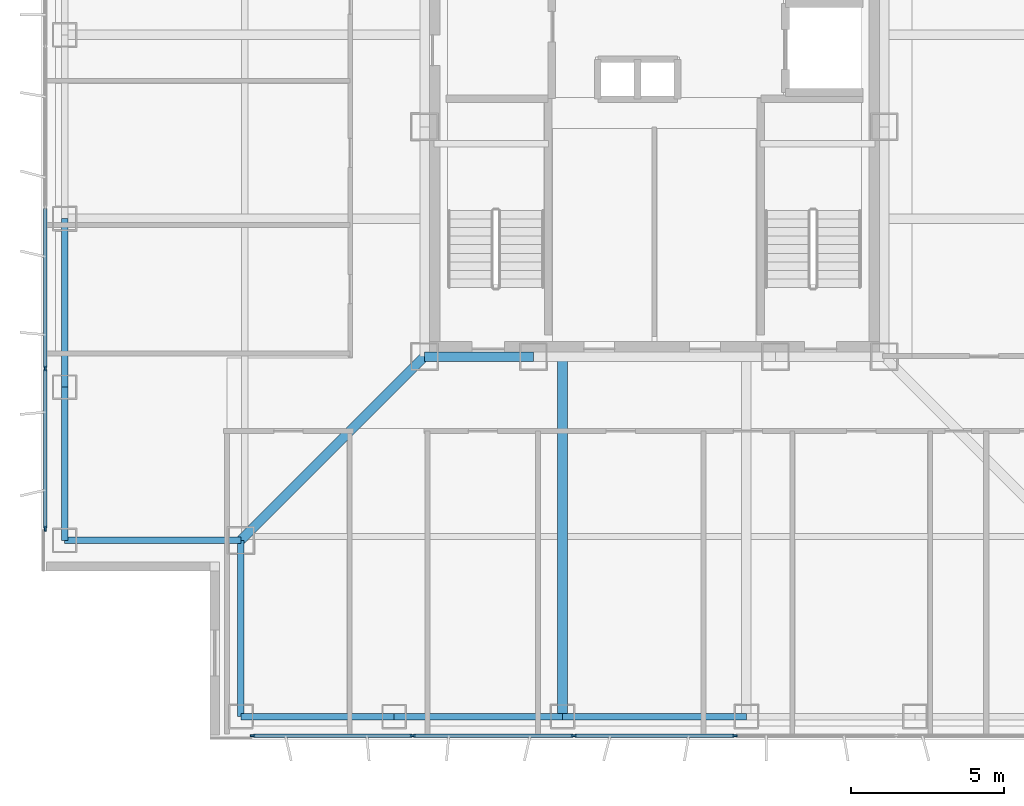
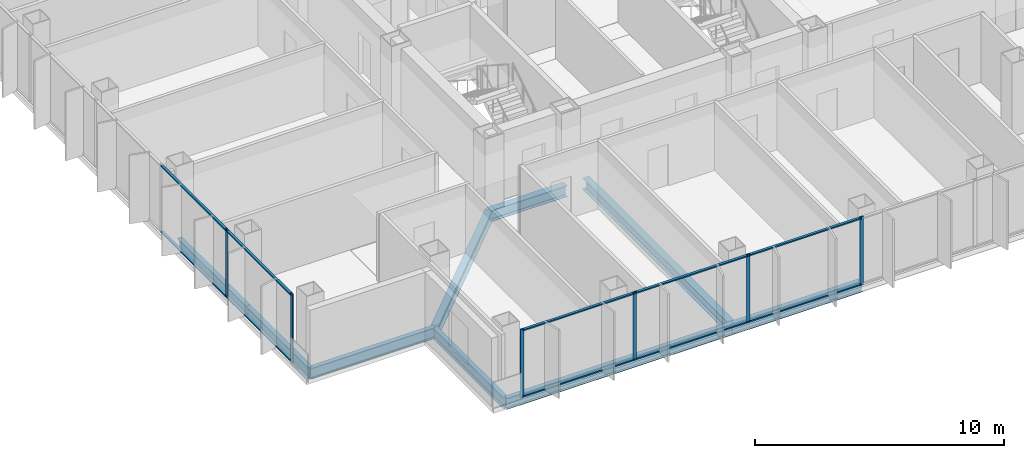
# One storey, part 2 of 18: 16 members, 10 beams, 2 elements without a shape of their own.
"""IFC4 building model written with IfcOpenShell, lengths in metres."""

from ifc_helpers import new_model, si_unit, direction, frame, origin, origin_2d, place, context, subcontext, project, spatial, rectangle, i_section, extrude, material, layer, layer_set, material_profile, profile_set, type_object, element, aggregate, save


model = new_model("IFC4")

# Units and contexts
model_context = context("Model", 3, precision=1e-05, world=origin(), true_north=direction((0.0, 1.0)))
body_context = subcontext(model_context, "Body", "Model", "MODEL_VIEW")
ifc_project = project(units=[si_unit("LENGTHUNIT", "METRE"), si_unit("AREAUNIT", "SQUARE_METRE"), si_unit("VOLUMEUNIT", "CUBIC_METRE"), si_unit("PLANEANGLEUNIT", "RADIAN"), si_unit("MASSUNIT", "GRAM", prefix="KILO")], contexts=[model_context])

# Site, building, storey
site_placement = place(None, origin())
site = spatial("IfcSite", under=ifc_project, at=site_placement, CompositionType="ELEMENT")
building_placement = place(site_placement, origin())
building = spatial("IfcBuilding", under=site, at=building_placement, Name="Trevonay Congress Spire", CompositionType="ELEMENT")
storey_placement = place(building_placement, frame((0.0, 0.0, 173.39990234375)))
storey = spatial("IfcBuildingStorey", under=building, at=storey_placement, Name="L44", CompositionType="ELEMENT", Elevation=173.39990234375)

# Beams
ifc_material_1 = material(Name="Steel ASTM A572 Grade 50", Category="steel")
ifc_material_profile_1 = material_profile(ifc_material_1, i_section(OverallWidth=0.31201171875, OverallDepth=0.54296875, WebThickness=0.0126953125, FlangeThickness=0.020263671875, FilletRadius=0.014892578125, at=origin_2d()), Name="W530x150")
ifc_profile_set_1 = profile_set([ifc_material_profile_1], Name="Steel ASTM A572 Grade 50")
beam_type_1 = type_object("IfcBeamType", Name="BM-GIRD-W530X150", PredefinedType="BEAM", material=ifc_profile_set_1)
beam_1_placement = place(storey_placement, frame((-7.5, -7.5, -0.511474609375), z_axis=(1.0, 0.0, 0.0), x_axis=(0.0, 1.0, 0.0)))
element("IfcBeam", 1, at=beam_1_placement, inside=storey, type_object=beam_type_1, Name="L44 structural beam BM-L44-CR-S1", PredefinedType="BEAM", context=body_context, shape_type="SweptSolid", body=[
    extrude(i_section(OverallWidth=0.31201171875, OverallDepth=0.54296875, WebThickness=0.0126953125, FlangeThickness=0.020263671875, FilletRadius=0.014892578125, at=origin_2d()), origin(), (0.0, 0.0, 1.0), 3.550048828125),
])
beam_2_placement = place(storey_placement, frame((-7.5, -7.5, -0.511474609375), z_axis=(-0.707106781187, -0.707106781187, 0.0), x_axis=(0.707106781187, -0.707106781187, 0.0)))
element("IfcBeam", 2, at=beam_2_placement, inside=storey, type_object=beam_type_1, Name="L44 structural beam BM-L44-CDSW", PredefinedType="BEAM", context=body_context, shape_type="SweptSolid", body=[
    extrude(i_section(OverallWidth=0.31201171875, OverallDepth=0.54296875, WebThickness=0.0126953125, FlangeThickness=0.020263671875, FilletRadius=0.014892578125, at=origin_2d()), origin(), (0.0, 0.0, 1.0), 8.4853515625),
])
beam_3_placement = place(storey_placement, frame((-3.0, -7.5, -0.511474609375), z_axis=(0.0, -1.0, 0.0), x_axis=(1.0, 0.0, 0.0)))
element("IfcBeam", 3, at=beam_3_placement, inside=storey, type_object=beam_type_1, Name="L44 structural beam BM-L44-GS-M", PredefinedType="BEAM", context=body_context, shape_type="SweptSolid", body=[
    extrude(i_section(OverallWidth=0.31201171875, OverallDepth=0.54296875, WebThickness=0.0126953125, FlangeThickness=0.020263671875, FilletRadius=0.014892578125, at=origin_2d()), origin(), (0.0, 0.0, 1.0), 11.75),
])
ifc_material_profile_2 = material_profile(ifc_material_1, i_section(OverallWidth=0.2119140625, OverallDepth=0.5439453125, WebThickness=0.01318359375, FlangeThickness=0.021240234375, FilletRadius=0.014892578125, at=origin_2d()), Name="W530x123")
ifc_profile_set_2 = profile_set([ifc_material_profile_2], Name="Steel ASTM A572 Grade 50")
beam_type_2 = type_object("IfcBeamType", Name="BM-RING-W530X123", PredefinedType="BEAM", material=ifc_profile_set_2)
for number, where, z_axis, x_axis, name in (
    (4, (-13.5, -19.25, -0.511962890625), (1.0, 0.0, 0.0), (0.0, 1.0, 0.0), "L44 structural beam BM-L44-PS1"),
    (5, (-19.25, -13.5, -0.511962890625), (0.0, 1.0, 0.0), (-1.0, 0.0, 0.0), "L44 structural beam BM-L44-PW1"),
):
    element("IfcBeam", number, at=place(storey_placement, frame(where, z_axis=z_axis, x_axis=x_axis)), inside=storey, type_object=beam_type_2, Name=name, PredefinedType="BEAM", context=body_context, shape_type="SweptSolid", body=[
        extrude(i_section(OverallWidth=0.2119140625, OverallDepth=0.5439453125, WebThickness=0.01318359375, FlangeThickness=0.021240234375, FilletRadius=0.014892578125, at=origin_2d()), origin(), (0.0, 0.0, 1.0), 5.0),
    ])
for number, where, z_axis, x_axis, name in (
    (6, (-8.5, -19.25, -0.511962890625), (1.0, 0.0, 0.0), (0.0, 1.0, 0.0), "L44 structural beam BM-L44-PS2"),
    (7, (-19.25, -8.5, -0.511962890625), (0.0, 1.0, 0.0), (-1.0, 0.0, 0.0), "L44 structural beam BM-L44-PW2"),
):
    element("IfcBeam", number, at=place(storey_placement, frame(where, z_axis=z_axis, x_axis=x_axis)), inside=storey, type_object=beam_type_2, Name=name, PredefinedType="BEAM", context=body_context, shape_type="SweptSolid", body=[
        extrude(i_section(OverallWidth=0.2119140625, OverallDepth=0.5439453125, WebThickness=0.01318359375, FlangeThickness=0.021240234375, FilletRadius=0.014892578125, at=origin_2d()), origin(), (0.0, 0.0, 1.0), 5.5),
    ])
beam_4_placement = place(storey_placement, frame((-3.0, -19.25, -0.511962890625), z_axis=(1.0, 0.0, 0.0), x_axis=(0.0, 1.0, 0.0)))
element("IfcBeam", 8, at=beam_4_placement, inside=storey, type_object=beam_type_2, Name="L44 structural beam BM-L44-PS3", PredefinedType="BEAM", context=body_context, shape_type="SweptSolid", body=[
    extrude(i_section(OverallWidth=0.2119140625, OverallDepth=0.5439453125, WebThickness=0.01318359375, FlangeThickness=0.021240234375, FilletRadius=0.014892578125, at=origin_2d()), origin(), (0.0, 0.0, 1.0), 6.0),
])
for number, where, z_axis, x_axis, name in (
    (9, (-13.5, -19.25, -0.511962890625), (0.0, 1.0, 0.0), (-1.0, 0.0, 0.0), "L44 structural beam BM-L44-N1SW"),
    (10, (-19.25, -13.5, -0.511962890625), (1.0, 0.0, 0.0), (0.0, 1.0, 0.0), "L44 structural beam BM-L44-N2SW"),
):
    element("IfcBeam", number, at=place(storey_placement, frame(where, z_axis=z_axis, x_axis=x_axis)), inside=storey, type_object=beam_type_2, Name=name, PredefinedType="BEAM", context=body_context, shape_type="SweptSolid", body=[
        extrude(i_section(OverallWidth=0.2119140625, OverallDepth=0.5439453125, WebThickness=0.01318359375, FlangeThickness=0.021240234375, FilletRadius=0.014892578125, at=origin_2d()), origin(), (0.0, 0.0, 1.0), 5.75),
    ])

# Curtain wall, members
ifc_material_2 = material(Name="Pale Anodised Aluminium EN AW-6063-T6", Category="aluminium")
ifc_layer = layer(ifc_material_2, 0.169921875, Name="Pale Anodised Aluminium EN AW-6063-T6")
ifc_layer_set = layer_set([ifc_layer], Name="Pale Anodised Aluminium EN AW-6063-T6")
curtain_wall_type = type_object("IfcCurtainWallType", Name="CW-SYS04-CORP-PALE-METAL", PredefinedType="NOTDEFINED", material=ifc_layer_set)
curtain_wall_1_placement = place(storey_placement, origin())
curtain_wall_1 = element("IfcCurtainWall", 11, at=curtain_wall_1_placement, inside=storey, type_object=curtain_wall_type, Name="L44 S unitised curtain wall", PredefinedType="NOTDEFINED")
ifc_material_profile_3 = material_profile(ifc_material_2, rectangle(XDim=0.06005859375, YDim=0.159912109375, at=origin_2d()), Name="CW-MULLION-160-ALUMINIUM")
ifc_profile_set_3 = profile_set([ifc_material_profile_3], Name="Pale Anodised Aluminium EN AW-6063-T6")
member_type_1 = type_object("IfcMemberType", Name="CW-MULLION-160-ALUMINIUM", PredefinedType="MULLION", material=ifc_profile_set_3)
member_1_placement = place(storey_placement, frame((-13.1201171875, -19.8798828125, 0.0), z_axis=(0.0, 0.0, 1.0), x_axis=(0.0, 1.0, 0.0)))
member_1 = element("IfcMember", 12, at=member_1_placement, type_object=member_type_1, Name="CW04 mullion 1", PredefinedType="MULLION", context=body_context, shape_type="SweptSolid", body=[
    extrude(rectangle(XDim=0.06005859375, YDim=0.159912109375, at=origin_2d()), origin(), (0.0, 0.0, 1.0), 3.360107421875),
])
member_2_placement = place(storey_placement, frame((-7.889892578125, -19.8798828125, 0.0), z_axis=(0.0, 0.0, 1.0), x_axis=(0.0, 1.0, 0.0)))
member_2 = element("IfcMember", 13, at=member_2_placement, type_object=member_type_1, Name="CW04 mullion 2", PredefinedType="MULLION", context=body_context, shape_type="SweptSolid", body=[
    extrude(rectangle(XDim=0.06005859375, YDim=0.159912109375, at=origin_2d()), origin(), (0.0, 0.0, 1.0), 3.360107421875),
])
member_3_placement = place(storey_placement, frame((-2.6298828125, -19.8798828125, 0.0), z_axis=(0.0, 0.0, 1.0), x_axis=(0.0, 1.0, 0.0)))
member_3 = element("IfcMember", 14, at=member_3_placement, type_object=member_type_1, Name="CW04 mullion 3", PredefinedType="MULLION", context=body_context, shape_type="SweptSolid", body=[
    extrude(rectangle(XDim=0.06005859375, YDim=0.159912109375, at=origin_2d()), origin(), (0.0, 0.0, 1.0), 3.360107421875),
])
member_4_placement = place(storey_placement, frame((2.6298828125, -19.8798828125, 0.0), z_axis=(0.0, 0.0, 1.0), x_axis=(0.0, 1.0, 0.0)))
member_4 = element("IfcMember", 15, at=member_4_placement, type_object=member_type_1, Name="CW04 mullion 4", PredefinedType="MULLION", context=body_context, shape_type="SweptSolid", body=[
    extrude(rectangle(XDim=0.06005859375, YDim=0.159912109375, at=origin_2d()), origin(), (0.0, 0.0, 1.0), 3.360107421875),
])

curtain_wall_2_placement = place(storey_placement, origin())
curtain_wall_2 = element("IfcCurtainWall", 16, at=curtain_wall_2_placement, inside=storey, type_object=curtain_wall_type, Name="L44 W unitised curtain wall", PredefinedType="NOTDEFINED")
member_5_placement = place(storey_placement, frame((-19.8798828125, -13.1201171875, 0.0), z_axis=(0.0, 0.0, 1.0), x_axis=(-1.0, 0.0, 0.0)))
member_5 = element("IfcMember", 17, at=member_5_placement, type_object=member_type_1, Name="CW04 mullion 1", PredefinedType="MULLION", context=body_context, shape_type="SweptSolid", body=[
    extrude(rectangle(XDim=0.06005859375, YDim=0.159912109375, at=origin_2d()), origin(), (0.0, 0.0, 1.0), 3.360107421875),
])
member_6_placement = place(storey_placement, frame((-19.8798828125, -7.889892578125, 0.0), z_axis=(0.0, 0.0, 1.0), x_axis=(-1.0, 0.0, 0.0)))
member_6 = element("IfcMember", 18, at=member_6_placement, type_object=member_type_1, Name="CW04 mullion 2", PredefinedType="MULLION", context=body_context, shape_type="SweptSolid", body=[
    extrude(rectangle(XDim=0.06005859375, YDim=0.159912109375, at=origin_2d()), origin(), (0.0, 0.0, 1.0), 3.360107421875),
])

# Member
ifc_material_profile_4 = material_profile(ifc_material_2, rectangle(XDim=0.1201171875, YDim=0.06005859375, at=origin_2d()), Name="CW-TRANSOM-120-ALUMINIUM")
ifc_profile_set_4 = profile_set([ifc_material_profile_4], Name="Pale Anodised Aluminium EN AW-6063-T6")
member_type_2 = type_object("IfcMemberType", Name="CW-TRANSOM-120-ALUMINIUM", PredefinedType="USERDEFINED", material=ifc_profile_set_4)
member_7_placement = place(storey_placement, frame((-13.090087890625, -19.8798828125, 0.06005859375), z_axis=(1.0, 0.0, 0.0), x_axis=(0.0, 1.0, 0.0)))
member_7 = element("IfcMember", 19, at=member_7_placement, type_object=member_type_2, Name="CW04 transom 1.1", ObjectType="TRANSOM", PredefinedType="USERDEFINED", context=body_context, shape_type="SweptSolid", body=[
    extrude(rectangle(XDim=0.1201171875, YDim=0.06005859375, at=origin_2d()), origin(), (0.0, 0.0, 1.0), 5.170166015625),
])

member_8_placement = place(storey_placement, frame((-13.090087890625, -19.8798828125, 3.300048828125), z_axis=(1.0, 0.0, 0.0), x_axis=(0.0, 1.0, 0.0)))
member_8 = element("IfcMember", 20, at=member_8_placement, type_object=member_type_2, Name="CW04 transom 1.2", ObjectType="TRANSOM", PredefinedType="USERDEFINED", context=body_context, shape_type="SweptSolid", body=[
    extrude(rectangle(XDim=0.1201171875, YDim=0.06005859375, at=origin_2d()), origin(), (0.0, 0.0, 1.0), 5.170166015625),
])

member_9_placement = place(storey_placement, frame((-7.860107421875, -19.8798828125, 0.06005859375), z_axis=(1.0, 0.0, 0.0), x_axis=(0.0, 1.0, 0.0)))
member_9 = element("IfcMember", 21, at=member_9_placement, type_object=member_type_2, Name="CW04 transom 2.1", ObjectType="TRANSOM", PredefinedType="USERDEFINED", context=body_context, shape_type="SweptSolid", body=[
    extrude(rectangle(XDim=0.1201171875, YDim=0.06005859375, at=origin_2d()), origin(), (0.0, 0.0, 1.0), 5.2001953125),
])

member_10_placement = place(storey_placement, frame((-7.860107421875, -19.8798828125, 3.300048828125), z_axis=(1.0, 0.0, 0.0), x_axis=(0.0, 1.0, 0.0)))
member_10 = element("IfcMember", 22, at=member_10_placement, type_object=member_type_2, Name="CW04 transom 2.2", ObjectType="TRANSOM", PredefinedType="USERDEFINED", context=body_context, shape_type="SweptSolid", body=[
    extrude(rectangle(XDim=0.1201171875, YDim=0.06005859375, at=origin_2d()), origin(), (0.0, 0.0, 1.0), 5.2001953125),
])

member_11_placement = place(storey_placement, frame((-2.60009765625, -19.8798828125, 0.06005859375), z_axis=(1.0, 0.0, 0.0), x_axis=(0.0, 1.0, 0.0)))
member_11 = element("IfcMember", 23, at=member_11_placement, type_object=member_type_2, Name="CW04 transom 3.1", ObjectType="TRANSOM", PredefinedType="USERDEFINED", context=body_context, shape_type="SweptSolid", body=[
    extrude(rectangle(XDim=0.1201171875, YDim=0.06005859375, at=origin_2d()), origin(), (0.0, 0.0, 1.0), 5.2001953125),
])

member_12_placement = place(storey_placement, frame((-2.60009765625, -19.8798828125, 3.300048828125), z_axis=(1.0, 0.0, 0.0), x_axis=(0.0, 1.0, 0.0)))
member_12 = element("IfcMember", 24, at=member_12_placement, type_object=member_type_2, Name="CW04 transom 3.2", ObjectType="TRANSOM", PredefinedType="USERDEFINED", context=body_context, shape_type="SweptSolid", body=[
    extrude(rectangle(XDim=0.1201171875, YDim=0.06005859375, at=origin_2d()), origin(), (0.0, 0.0, 1.0), 5.2001953125),
])

aggregate(curtain_wall_1, [member_1, member_2, member_3, member_4, member_7, member_8, member_9, member_10, member_11, member_12])

member_13_placement = place(storey_placement, frame((-19.8798828125, -13.090087890625, 0.06005859375), z_axis=(0.0, 1.0, 0.0), x_axis=(-1.0, 0.0, 0.0)))
member_13 = element("IfcMember", 25, at=member_13_placement, type_object=member_type_2, Name="CW04 transom 1.1", ObjectType="TRANSOM", PredefinedType="USERDEFINED", context=body_context, shape_type="SweptSolid", body=[
    extrude(rectangle(XDim=0.1201171875, YDim=0.06005859375, at=origin_2d()), origin(), (0.0, 0.0, 1.0), 5.170166015625),
])

member_14_placement = place(storey_placement, frame((-19.8798828125, -13.090087890625, 3.300048828125), z_axis=(0.0, 1.0, 0.0), x_axis=(-1.0, 0.0, 0.0)))
member_14 = element("IfcMember", 26, at=member_14_placement, type_object=member_type_2, Name="CW04 transom 1.2", ObjectType="TRANSOM", PredefinedType="USERDEFINED", context=body_context, shape_type="SweptSolid", body=[
    extrude(rectangle(XDim=0.1201171875, YDim=0.06005859375, at=origin_2d()), origin(), (0.0, 0.0, 1.0), 5.170166015625),
])

member_15_placement = place(storey_placement, frame((-19.8798828125, -7.860107421875, 0.06005859375), z_axis=(0.0, 1.0, 0.0), x_axis=(-1.0, 0.0, 0.0)))
member_15 = element("IfcMember", 27, at=member_15_placement, type_object=member_type_2, Name="CW04 transom 2.1", ObjectType="TRANSOM", PredefinedType="USERDEFINED", context=body_context, shape_type="SweptSolid", body=[
    extrude(rectangle(XDim=0.1201171875, YDim=0.06005859375, at=origin_2d()), origin(), (0.0, 0.0, 1.0), 5.2001953125),
])

member_16_placement = place(storey_placement, frame((-19.8798828125, -7.860107421875, 3.300048828125), z_axis=(0.0, 1.0, 0.0), x_axis=(-1.0, 0.0, 0.0)))
member_16 = element("IfcMember", 28, at=member_16_placement, type_object=member_type_2, Name="CW04 transom 2.2", ObjectType="TRANSOM", PredefinedType="USERDEFINED", context=body_context, shape_type="SweptSolid", body=[
    extrude(rectangle(XDim=0.1201171875, YDim=0.06005859375, at=origin_2d()), origin(), (0.0, 0.0, 1.0), 5.2001953125),
])

aggregate(curtain_wall_2, [member_5, member_6, member_13, member_14, member_15, member_16])

save(model, "model.ifc")
